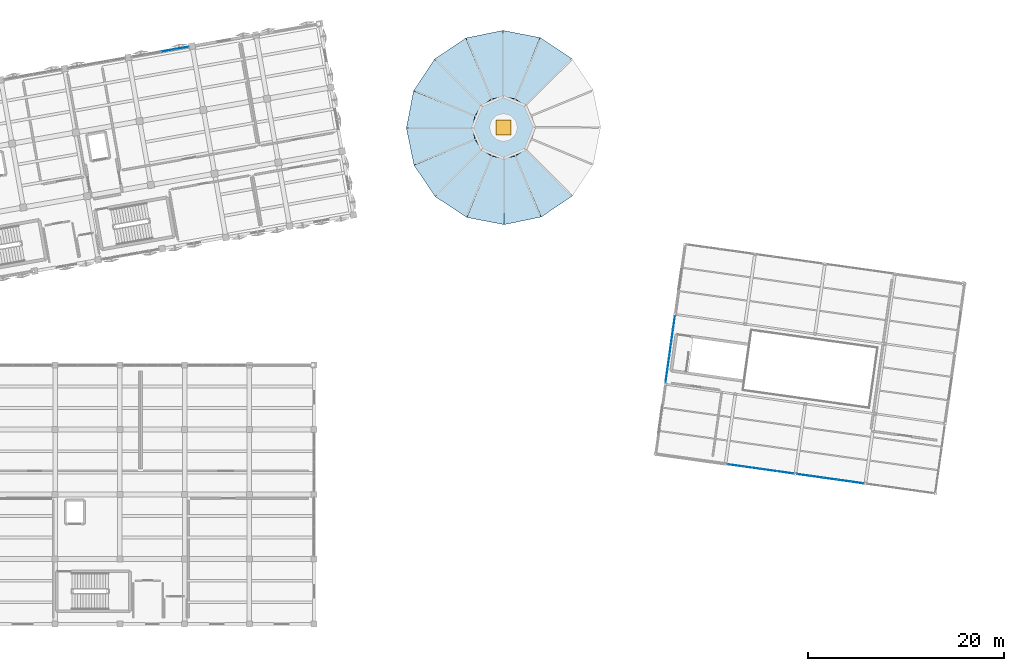
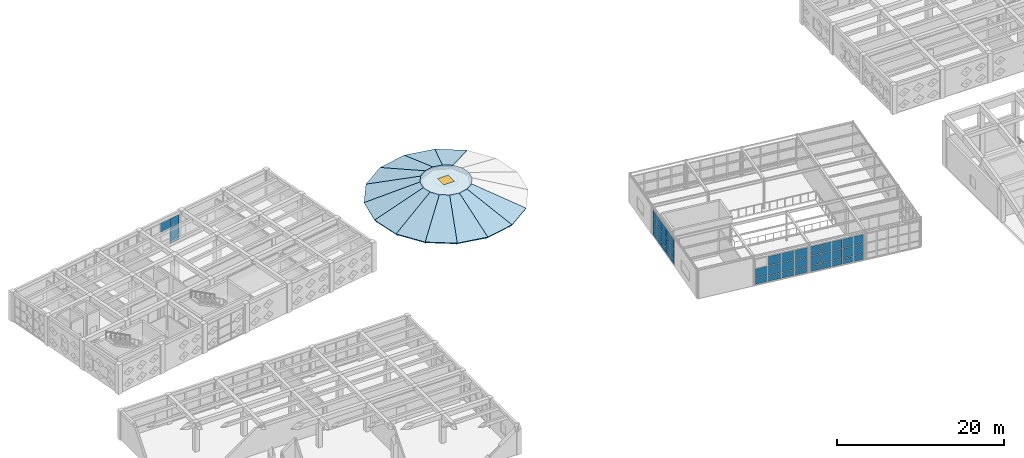
# One storey, part 44 of 67: 45 plates, 13 slabs, 1 window, 1 opening, 4 elements without a shape of their own.
"""IFC4 building model written with IfcOpenShell, lengths in metres."""

from ifc_helpers import new_model, si_unit, direction, frame, origin, origin_2d, place, context, subcontext, project, spatial, polyline, rectangle, outline, extrude, material, layer, layer_set, type_object, element, fill, aggregate, save


model = new_model("IFC4")

# Units and contexts
model_context = context("Model", 3, precision=1e-05, world=origin(), true_north=direction((0.0, 1.0)))
body_context = subcontext(model_context, "Body", "Model", "MODEL_VIEW")
ifc_project = project(units=[si_unit("LENGTHUNIT", "METRE"), si_unit("AREAUNIT", "SQUARE_METRE"), si_unit("VOLUMEUNIT", "CUBIC_METRE"), si_unit("PLANEANGLEUNIT", "RADIAN"), si_unit("MASSUNIT", "GRAM", prefix="KILO")], contexts=[model_context])

# Site, building, storey
site_placement = place(None, origin())
site = spatial("IfcSite", under=ifc_project, at=site_placement, CompositionType="ELEMENT")
building_placement = place(site_placement, origin())
building = spatial("IfcBuilding", under=site, at=building_placement, Name="Kharisveld Research Institute", CompositionType="ELEMENT")
storey_placement = place(building_placement, frame((0.0, 0.0, 9.60009765625)))
storey = spatial("IfcBuildingStorey", under=building, at=storey_placement, Name="L02", CompositionType="ELEMENT", Elevation=9.60009765625)

# Curtain wall, plates
ifc_material_1 = material(Name="Thermally Broken Aluminium Curtain Wall", Category="aluminium")
ifc_layer_1 = layer(ifc_material_1, 0.159912109375)
ifc_layer_set_1 = layer_set([ifc_layer_1], Name="CW_SYS_04")
curtain_wall_type_1 = type_object("IfcCurtainWallType", Name="CW_SYS_04", PredefinedType="NOTDEFINED", material=ifc_layer_set_1)
curtain_wall_1_placement = place(storey_placement, origin())
curtain_wall_1 = element("IfcCurtainWall", 1, at=curtain_wall_1_placement, inside=storey, type_object=curtain_wall_type_1, Name="CW:V1:L02:N3", PredefinedType="NOTDEFINED")
ifc_material_2 = material(Name="Low-E Double Glazing", Category="glass")
ifc_layer_2 = layer(ifc_material_2, 0.028076171875)
ifc_layer_set_2 = layer_set([ifc_layer_2], Name="CW_PNL_GLZ")
plate_type_1 = type_object("IfcPlateType", Name="CW_PNL_GLZ", PredefinedType="CURTAIN_PANEL", material=ifc_layer_set_2)
plate_1_placement = place(storey_placement, frame((25.24462890625, 58.64990234375, 2.38232421875), z_axis=(0.0, 0.0, 1.0), x_axis=(0.984807732312, 0.173648295062, 0.0)))
plate_1 = element("IfcPlate", 2, at=plate_1_placement, type_object=plate_type_1, Name="CW-04 panel 3.3", PredefinedType="CURTAIN_PANEL", context=body_context, shape_type="SweptSolid", body=[
    extrude(rectangle(XDim=1.419921875, YDim=0.028076171875, at=origin_2d()), origin(), (0.0, 0.0, 1.0), 1.33251953125),
])
plate_2_placement = place(storey_placement, frame((26.694580078125, 58.905517578125, 0.06494140625), z_axis=(0.0, 0.0, 1.0), x_axis=(0.984807732312, 0.173648295062, 0.0)))
plate_2 = element("IfcPlate", 3, at=plate_2_placement, type_object=plate_type_1, Name="CW-04 panel 4.1", PredefinedType="CURTAIN_PANEL", context=body_context, shape_type="SweptSolid", body=[
    extrude(rectangle(XDim=1.385009765625, YDim=0.028076171875, at=origin_2d()), origin(), (0.0, 0.0, 1.0), 0.802490234375),
])
plate_3_placement = place(storey_placement, frame((26.694580078125, 58.905517578125, 0.9326171875), z_axis=(0.0, 0.0, 1.0), x_axis=(0.984807732312, 0.173648295062, 0.0)))
plate_3 = element("IfcPlate", 4, at=plate_3_placement, type_object=plate_type_1, Name="CW-04 panel 4.2", PredefinedType="CURTAIN_PANEL", context=body_context, shape_type="SweptSolid", body=[
    extrude(rectangle(XDim=1.385009765625, YDim=0.028076171875, at=origin_2d()), origin(), (0.0, 0.0, 1.0), 1.385009765625),
])
plate_4_placement = place(storey_placement, frame((26.694580078125, 58.905517578125, 2.38232421875), z_axis=(0.0, 0.0, 1.0), x_axis=(0.984807732312, 0.173648295062, 0.0)))
plate_4 = element("IfcPlate", 5, at=plate_4_placement, type_object=plate_type_1, Name="CW-04 panel 4.3", PredefinedType="CURTAIN_PANEL", context=body_context, shape_type="SweptSolid", body=[
    extrude(rectangle(XDim=1.385009765625, YDim=0.028076171875, at=origin_2d()), origin(), (0.0, 0.0, 1.0), 1.33251953125),
])
aggregate(curtain_wall_1, [plate_1, plate_2, plate_3, plate_4])

ifc_material_3 = material(Name="Thermally Broken Aluminium Curtain Wall", Category="aluminium")
ifc_layer_3 = layer(ifc_material_3, 0.159912109375)
ifc_layer_set_3 = layer_set([ifc_layer_3], Name="CW_SYS_03")
curtain_wall_type_2 = type_object("IfcCurtainWallType", Name="CW_SYS_03", PredefinedType="NOTDEFINED", material=ifc_layer_set_3)
curtain_wall_2_placement = place(storey_placement, origin())
curtain_wall_2 = element("IfcCurtainWall", 6, at=curtain_wall_2_placement, inside=storey, type_object=curtain_wall_type_2, Name="CW:V4:L02:W1", PredefinedType="NOTDEFINED")
plate_5_placement = place(storey_placement, frame((76.119384765625, 25.46435546875, 0.06494140625), z_axis=(0.0, 0.0, 1.0), x_axis=(0.139173262318, 0.990268046064, 0.0)))
plate_5 = element("IfcPlate", 7, at=plate_5_placement, type_object=plate_type_1, Name="CW-03 panel 1.1", PredefinedType="CURTAIN_PANEL", context=body_context, shape_type="SweptSolid", body=[
    extrude(rectangle(XDim=1.282470703125, YDim=0.028076171875, at=origin_2d()), origin(), (0.0, 0.0, 1.0), 0.802490234375),
])
plate_6_placement = place(storey_placement, frame((76.119384765625, 25.46435546875, 0.9326171875), z_axis=(0.0, 0.0, 1.0), x_axis=(0.139173262318, 0.990268046064, 0.0)))
plate_6 = element("IfcPlate", 8, at=plate_6_placement, type_object=plate_type_1, Name="CW-03 panel 1.2", PredefinedType="CURTAIN_PANEL", context=body_context, shape_type="SweptSolid", body=[
    extrude(rectangle(XDim=1.282470703125, YDim=0.028076171875, at=origin_2d()), origin(), (0.0, 0.0, 1.0), 1.385009765625),
])
plate_7_placement = place(storey_placement, frame((76.119384765625, 25.46435546875, 2.38232421875), z_axis=(0.0, 0.0, 1.0), x_axis=(0.139173262318, 0.990268046064, 0.0)))
plate_7 = element("IfcPlate", 9, at=plate_7_placement, type_object=plate_type_1, Name="CW-03 panel 1.3", PredefinedType="CURTAIN_PANEL", context=body_context, shape_type="SweptSolid", body=[
    extrude(rectangle(XDim=1.282470703125, YDim=0.028076171875, at=origin_2d()), origin(), (0.0, 0.0, 1.0), 1.33251953125),
])
plate_8_placement = place(storey_placement, frame((76.31005859375, 26.821044921875, 0.06494140625), z_axis=(0.0, 0.0, 1.0), x_axis=(0.139173262318, 0.990268046064, 0.0)))
plate_8 = element("IfcPlate", 10, at=plate_8_placement, type_object=plate_type_1, Name="CW-03 panel 2.1", PredefinedType="CURTAIN_PANEL", context=body_context, shape_type="SweptSolid", body=[
    extrude(rectangle(XDim=1.3173828125, YDim=0.028076171875, at=origin_2d()), origin(), (0.0, 0.0, 1.0), 0.802490234375),
])
plate_9_placement = place(storey_placement, frame((76.31005859375, 26.821044921875, 0.9326171875), z_axis=(0.0, 0.0, 1.0), x_axis=(0.139173262318, 0.990268046064, 0.0)))
plate_9 = element("IfcPlate", 11, at=plate_9_placement, type_object=plate_type_1, Name="CW-03 panel 2.2", PredefinedType="CURTAIN_PANEL", context=body_context, shape_type="SweptSolid", body=[
    extrude(rectangle(XDim=1.3173828125, YDim=0.028076171875, at=origin_2d()), origin(), (0.0, 0.0, 1.0), 1.385009765625),
])
plate_10_placement = place(storey_placement, frame((76.31005859375, 26.821044921875, 2.38232421875), z_axis=(0.0, 0.0, 1.0), x_axis=(0.139173262318, 0.990268046064, 0.0)))
plate_10 = element("IfcPlate", 12, at=plate_10_placement, type_object=plate_type_1, Name="CW-03 panel 2.3", PredefinedType="CURTAIN_PANEL", context=body_context, shape_type="SweptSolid", body=[
    extrude(rectangle(XDim=1.3173828125, YDim=0.028076171875, at=origin_2d()), origin(), (0.0, 0.0, 1.0), 1.33251953125),
])
plate_11_placement = place(storey_placement, frame((76.503173828125, 28.19482421875, 0.06494140625), z_axis=(0.0, 0.0, 1.0), x_axis=(0.139173262318, 0.990268046064, 0.0)))
plate_11 = element("IfcPlate", 13, at=plate_11_placement, type_object=plate_type_1, Name="CW-03 panel 3.1", PredefinedType="CURTAIN_PANEL", context=body_context, shape_type="SweptSolid", body=[
    extrude(rectangle(XDim=1.3173828125, YDim=0.028076171875, at=origin_2d()), origin(), (0.0, 0.0, 1.0), 0.802490234375),
])
plate_12_placement = place(storey_placement, frame((76.503173828125, 28.19482421875, 0.9326171875), z_axis=(0.0, 0.0, 1.0), x_axis=(0.139173262318, 0.990268046064, 0.0)))
plate_12 = element("IfcPlate", 14, at=plate_12_placement, type_object=plate_type_1, Name="CW-03 panel 3.2", PredefinedType="CURTAIN_PANEL", context=body_context, shape_type="SweptSolid", body=[
    extrude(rectangle(XDim=1.3173828125, YDim=0.028076171875, at=origin_2d()), origin(), (0.0, 0.0, 1.0), 1.385009765625),
])
plate_13_placement = place(storey_placement, frame((76.503173828125, 28.19482421875, 2.38232421875), z_axis=(0.0, 0.0, 1.0), x_axis=(0.139173262318, 0.990268046064, 0.0)))
plate_13 = element("IfcPlate", 15, at=plate_13_placement, type_object=plate_type_1, Name="CW-03 panel 3.3", PredefinedType="CURTAIN_PANEL", context=body_context, shape_type="SweptSolid", body=[
    extrude(rectangle(XDim=1.3173828125, YDim=0.028076171875, at=origin_2d()), origin(), (0.0, 0.0, 1.0), 1.33251953125),
])
plate_14_placement = place(storey_placement, frame((76.696044921875, 29.56884765625, 0.06494140625), z_axis=(0.0, 0.0, 1.0), x_axis=(0.139173262318, 0.990268046064, 0.0)))
plate_14 = element("IfcPlate", 16, at=plate_14_placement, type_object=plate_type_1, Name="CW-03 panel 4.1", PredefinedType="CURTAIN_PANEL", context=body_context, shape_type="SweptSolid", body=[
    extrude(rectangle(XDim=1.3173828125, YDim=0.028076171875, at=origin_2d()), origin(), (0.0, 0.0, 1.0), 0.802490234375),
])
plate_15_placement = place(storey_placement, frame((76.696044921875, 29.56884765625, 0.9326171875), z_axis=(0.0, 0.0, 1.0), x_axis=(0.139173262318, 0.990268046064, 0.0)))
plate_15 = element("IfcPlate", 17, at=plate_15_placement, type_object=plate_type_1, Name="CW-03 panel 4.2", PredefinedType="CURTAIN_PANEL", context=body_context, shape_type="SweptSolid", body=[
    extrude(rectangle(XDim=1.3173828125, YDim=0.028076171875, at=origin_2d()), origin(), (0.0, 0.0, 1.0), 1.385009765625),
])
plate_16_placement = place(storey_placement, frame((76.696044921875, 29.56884765625, 2.38232421875), z_axis=(0.0, 0.0, 1.0), x_axis=(0.139173262318, 0.990268046064, 0.0)))
plate_16 = element("IfcPlate", 18, at=plate_16_placement, type_object=plate_type_1, Name="CW-03 panel 4.3", PredefinedType="CURTAIN_PANEL", context=body_context, shape_type="SweptSolid", body=[
    extrude(rectangle(XDim=1.3173828125, YDim=0.028076171875, at=origin_2d()), origin(), (0.0, 0.0, 1.0), 1.33251953125),
])
plate_17_placement = place(storey_placement, frame((76.88671875, 30.92529296875, 0.06494140625), z_axis=(0.0, 0.0, 1.0), x_axis=(0.139173262318, 0.990268046064, 0.0)))
plate_17 = element("IfcPlate", 19, at=plate_17_placement, type_object=plate_type_1, Name="CW-03 panel 5.1", PredefinedType="CURTAIN_PANEL", context=body_context, shape_type="SweptSolid", body=[
    extrude(rectangle(XDim=1.282470703125, YDim=0.028076171875, at=origin_2d()), origin(), (0.0, 0.0, 1.0), 0.802490234375),
])
plate_18_placement = place(storey_placement, frame((76.88671875, 30.92529296875, 0.9326171875), z_axis=(0.0, 0.0, 1.0), x_axis=(0.139173262318, 0.990268046064, 0.0)))
plate_18 = element("IfcPlate", 20, at=plate_18_placement, type_object=plate_type_1, Name="CW-03 panel 5.2", PredefinedType="CURTAIN_PANEL", context=body_context, shape_type="SweptSolid", body=[
    extrude(rectangle(XDim=1.282470703125, YDim=0.028076171875, at=origin_2d()), origin(), (0.0, 0.0, 1.0), 1.385009765625),
])
plate_19_placement = place(storey_placement, frame((76.88671875, 30.92529296875, 2.38232421875), z_axis=(0.0, 0.0, 1.0), x_axis=(0.139173262318, 0.990268046064, 0.0)))
plate_19 = element("IfcPlate", 21, at=plate_19_placement, type_object=plate_type_1, Name="CW-03 panel 5.3", PredefinedType="CURTAIN_PANEL", context=body_context, shape_type="SweptSolid", body=[
    extrude(rectangle(XDim=1.282470703125, YDim=0.028076171875, at=origin_2d()), origin(), (0.0, 0.0, 1.0), 1.33251953125),
])
aggregate(curtain_wall_2, [plate_5, plate_6, plate_7, plate_8, plate_9, plate_10, plate_11, plate_12, plate_13, plate_14, plate_15, plate_16, plate_17, plate_18, plate_19])

curtain_wall_3_placement = place(storey_placement, origin())
curtain_wall_3 = element("IfcCurtainWall", 22, at=curtain_wall_3_placement, inside=storey, type_object=curtain_wall_type_1, Name="CW:V4:L02:S2", PredefinedType="NOTDEFINED")
plate_20_placement = place(storey_placement, frame((88.253662109375, 15.63720703125, 0.06494140625), z_axis=(0.0, 0.0, 1.0), x_axis=(-0.990268046064, 0.139173262318, 0.0)))
plate_20 = element("IfcPlate", 23, at=plate_20_placement, type_object=plate_type_1, Name="CW-04 panel 1.1", PredefinedType="CURTAIN_PANEL", context=body_context, shape_type="SweptSolid", body=[
    extrude(rectangle(XDim=1.629150390625, YDim=0.028076171875, at=origin_2d()), origin(), (0.0, 0.0, 1.0), 0.802490234375),
])
plate_21_placement = place(storey_placement, frame((88.253662109375, 15.63720703125, 0.9326171875), z_axis=(0.0, 0.0, 1.0), x_axis=(-0.990268046064, 0.139173262318, 0.0)))
plate_21 = element("IfcPlate", 24, at=plate_21_placement, type_object=plate_type_1, Name="CW-04 panel 1.2", PredefinedType="CURTAIN_PANEL", context=body_context, shape_type="SweptSolid", body=[
    extrude(rectangle(XDim=1.629150390625, YDim=0.028076171875, at=origin_2d()), origin(), (0.0, 0.0, 1.0), 1.385009765625),
])
plate_22_placement = place(storey_placement, frame((88.253662109375, 15.63720703125, 2.38232421875), z_axis=(0.0, 0.0, 1.0), x_axis=(-0.990268046064, 0.139173262318, 0.0)))
plate_22 = element("IfcPlate", 25, at=plate_22_placement, type_object=plate_type_1, Name="CW-04 panel 1.3", PredefinedType="CURTAIN_PANEL", context=body_context, shape_type="SweptSolid", body=[
    extrude(rectangle(XDim=1.629150390625, YDim=0.028076171875, at=origin_2d()), origin(), (0.0, 0.0, 1.0), 1.33251953125),
])
plate_23_placement = place(storey_placement, frame((86.553466796875, 15.876220703125, 0.06494140625), z_axis=(0.0, 0.0, 1.0), x_axis=(-0.990268046064, 0.139173262318, 0.0)))
plate_23 = element("IfcPlate", 26, at=plate_23_placement, type_object=plate_type_1, Name="CW-04 panel 2.1", PredefinedType="CURTAIN_PANEL", context=body_context, shape_type="SweptSolid", body=[
    extrude(rectangle(XDim=1.664306640625, YDim=0.028076171875, at=origin_2d()), origin(), (0.0, 0.0, 1.0), 0.802490234375),
])
plate_24_placement = place(storey_placement, frame((86.553466796875, 15.876220703125, 0.9326171875), z_axis=(0.0, 0.0, 1.0), x_axis=(-0.990268046064, 0.139173262318, 0.0)))
plate_24 = element("IfcPlate", 27, at=plate_24_placement, type_object=plate_type_1, Name="CW-04 panel 2.2", PredefinedType="CURTAIN_PANEL", context=body_context, shape_type="SweptSolid", body=[
    extrude(rectangle(XDim=1.664306640625, YDim=0.028076171875, at=origin_2d()), origin(), (0.0, 0.0, 1.0), 1.385009765625),
])
plate_25_placement = place(storey_placement, frame((86.553466796875, 15.876220703125, 2.38232421875), z_axis=(0.0, 0.0, 1.0), x_axis=(-0.990268046064, 0.139173262318, 0.0)))
plate_25 = element("IfcPlate", 28, at=plate_25_placement, type_object=plate_type_1, Name="CW-04 panel 2.3", PredefinedType="CURTAIN_PANEL", context=body_context, shape_type="SweptSolid", body=[
    extrude(rectangle(XDim=1.664306640625, YDim=0.028076171875, at=origin_2d()), origin(), (0.0, 0.0, 1.0), 1.33251953125),
])
plate_26_placement = place(storey_placement, frame((84.836181640625, 16.11767578125, 0.06494140625), z_axis=(0.0, 0.0, 1.0), x_axis=(-0.990268046064, 0.139173262318, 0.0)))
plate_26 = element("IfcPlate", 29, at=plate_26_placement, type_object=plate_type_1, Name="CW-04 panel 3.1", PredefinedType="CURTAIN_PANEL", context=body_context, shape_type="SweptSolid", body=[
    extrude(rectangle(XDim=1.664306640625, YDim=0.028076171875, at=origin_2d()), origin(), (0.0, 0.0, 1.0), 0.802490234375),
])
plate_27_placement = place(storey_placement, frame((84.836181640625, 16.11767578125, 0.9326171875), z_axis=(0.0, 0.0, 1.0), x_axis=(-0.990268046064, 0.139173262318, 0.0)))
plate_27 = element("IfcPlate", 30, at=plate_27_placement, type_object=plate_type_1, Name="CW-04 panel 3.2", PredefinedType="CURTAIN_PANEL", context=body_context, shape_type="SweptSolid", body=[
    extrude(rectangle(XDim=1.664306640625, YDim=0.028076171875, at=origin_2d()), origin(), (0.0, 0.0, 1.0), 1.385009765625),
])
plate_28_placement = place(storey_placement, frame((84.836181640625, 16.11767578125, 2.38232421875), z_axis=(0.0, 0.0, 1.0), x_axis=(-0.990268046064, 0.139173262318, 0.0)))
plate_28 = element("IfcPlate", 31, at=plate_28_placement, type_object=plate_type_1, Name="CW-04 panel 3.3", PredefinedType="CURTAIN_PANEL", context=body_context, shape_type="SweptSolid", body=[
    extrude(rectangle(XDim=1.664306640625, YDim=0.028076171875, at=origin_2d()), origin(), (0.0, 0.0, 1.0), 1.33251953125),
])
plate_29_placement = place(storey_placement, frame((83.13623046875, 16.3564453125, 0.06494140625), z_axis=(0.0, 0.0, 1.0), x_axis=(-0.990268046064, 0.139173262318, 0.0)))
plate_29 = element("IfcPlate", 32, at=plate_29_placement, type_object=plate_type_1, Name="CW-04 panel 4.1", PredefinedType="CURTAIN_PANEL", context=body_context, shape_type="SweptSolid", body=[
    extrude(rectangle(XDim=1.629150390625, YDim=0.028076171875, at=origin_2d()), origin(), (0.0, 0.0, 1.0), 0.802490234375),
])
plate_30_placement = place(storey_placement, frame((83.13623046875, 16.3564453125, 0.9326171875), z_axis=(0.0, 0.0, 1.0), x_axis=(-0.990268046064, 0.139173262318, 0.0)))
plate_30 = element("IfcPlate", 33, at=plate_30_placement, type_object=plate_type_1, Name="CW-04 panel 4.2", PredefinedType="CURTAIN_PANEL", context=body_context, shape_type="SweptSolid", body=[
    extrude(rectangle(XDim=1.629150390625, YDim=0.028076171875, at=origin_2d()), origin(), (0.0, 0.0, 1.0), 1.385009765625),
])
aggregate(curtain_wall_3, [plate_20, plate_21, plate_22, plate_23, plate_24, plate_25, plate_26, plate_27, plate_28, plate_29, plate_30])

curtain_wall_4_placement = place(storey_placement, origin())
curtain_wall_4 = element("IfcCurtainWall", 34, at=curtain_wall_4_placement, inside=storey, type_object=curtain_wall_type_2, Name="CW:V4:L02:S3", PredefinedType="NOTDEFINED")
ifc_material_4 = material(Name="Insulated Spandrel Glazing", Category="glass")
ifc_layer_4 = layer(ifc_material_4, 0.035888671875)
ifc_layer_set_4 = layer_set([ifc_layer_4], Name="CW_PNL_SPD")
plate_type_2 = type_object("IfcPlateType", Name="CW_PNL_SPD", PredefinedType="CURTAIN_PANEL", material=ifc_layer_set_4)
plate_31_placement = place(storey_placement, frame((95.55517578125, 14.611083984375, 0.06494140625), z_axis=(0.0, 0.0, 1.0), x_axis=(-0.990268065931, 0.139173120957, 0.0)))
plate_31 = element("IfcPlate", 35, at=plate_31_placement, type_object=plate_type_2, Name="CW-03 panel 1.1", PredefinedType="CURTAIN_PANEL", context=body_context, shape_type="SweptSolid", body=[
    extrude(rectangle(XDim=1.282470703125, YDim=0.035888671875, at=origin_2d()), origin(), (0.0, 0.0, 1.0), 0.802490234375),
])
plate_32_placement = place(storey_placement, frame((95.55517578125, 14.611083984375, 0.9326171875), z_axis=(0.0, 0.0, 1.0), x_axis=(-0.990268065931, 0.139173120957, 0.0)))
plate_32 = element("IfcPlate", 36, at=plate_32_placement, type_object=plate_type_2, Name="CW-03 panel 1.2", PredefinedType="CURTAIN_PANEL", context=body_context, shape_type="SweptSolid", body=[
    extrude(rectangle(XDim=1.282470703125, YDim=0.035888671875, at=origin_2d()), origin(), (0.0, 0.0, 1.0), 1.385009765625),
])
plate_33_placement = place(storey_placement, frame((95.55517578125, 14.611083984375, 2.38232421875), z_axis=(0.0, 0.0, 1.0), x_axis=(-0.990268065931, 0.139173120957, 0.0)))
plate_33 = element("IfcPlate", 37, at=plate_33_placement, type_object=plate_type_2, Name="CW-03 panel 1.3", PredefinedType="CURTAIN_PANEL", context=body_context, shape_type="SweptSolid", body=[
    extrude(rectangle(XDim=1.282470703125, YDim=0.035888671875, at=origin_2d()), origin(), (0.0, 0.0, 1.0), 1.33251953125),
])
plate_34_placement = place(storey_placement, frame((94.19873046875, 14.8017578125, 0.06494140625), z_axis=(0.0, 0.0, 1.0), x_axis=(-0.990268065931, 0.139173120957, 0.0)))
plate_34 = element("IfcPlate", 38, at=plate_34_placement, type_object=plate_type_2, Name="CW-03 panel 2.1", PredefinedType="CURTAIN_PANEL", context=body_context, shape_type="SweptSolid", body=[
    extrude(rectangle(XDim=1.3173828125, YDim=0.035888671875, at=origin_2d()), origin(), (0.0, 0.0, 1.0), 0.802490234375),
])
plate_35_placement = place(storey_placement, frame((94.19873046875, 14.8017578125, 0.9326171875), z_axis=(0.0, 0.0, 1.0), x_axis=(-0.990268065931, 0.139173120957, 0.0)))
plate_35 = element("IfcPlate", 39, at=plate_35_placement, type_object=plate_type_2, Name="CW-03 panel 2.2", PredefinedType="CURTAIN_PANEL", context=body_context, shape_type="SweptSolid", body=[
    extrude(rectangle(XDim=1.3173828125, YDim=0.035888671875, at=origin_2d()), origin(), (0.0, 0.0, 1.0), 1.385009765625),
])
plate_36_placement = place(storey_placement, frame((94.19873046875, 14.8017578125, 2.38232421875), z_axis=(0.0, 0.0, 1.0), x_axis=(-0.990268065931, 0.139173120957, 0.0)))
plate_36 = element("IfcPlate", 40, at=plate_36_placement, type_object=plate_type_2, Name="CW-03 panel 2.3", PredefinedType="CURTAIN_PANEL", context=body_context, shape_type="SweptSolid", body=[
    extrude(rectangle(XDim=1.3173828125, YDim=0.035888671875, at=origin_2d()), origin(), (0.0, 0.0, 1.0), 1.33251953125),
])
plate_37_placement = place(storey_placement, frame((92.82470703125, 14.994873046875, 0.06494140625), z_axis=(0.0, 0.0, 1.0), x_axis=(-0.990268065931, 0.139173120957, 0.0)))
plate_37 = element("IfcPlate", 41, at=plate_37_placement, type_object=plate_type_2, Name="CW-03 panel 3.1", PredefinedType="CURTAIN_PANEL", context=body_context, shape_type="SweptSolid", body=[
    extrude(rectangle(XDim=1.3173828125, YDim=0.035888671875, at=origin_2d()), origin(), (0.0, 0.0, 1.0), 0.802490234375),
])
plate_38_placement = place(storey_placement, frame((92.82470703125, 14.994873046875, 0.9326171875), z_axis=(0.0, 0.0, 1.0), x_axis=(-0.990268065931, 0.139173120957, 0.0)))
plate_38 = element("IfcPlate", 42, at=plate_38_placement, type_object=plate_type_2, Name="CW-03 panel 3.2", PredefinedType="CURTAIN_PANEL", context=body_context, shape_type="SweptSolid", body=[
    extrude(rectangle(XDim=1.3173828125, YDim=0.035888671875, at=origin_2d()), origin(), (0.0, 0.0, 1.0), 1.385009765625),
])
plate_39_placement = place(storey_placement, frame((92.82470703125, 14.994873046875, 2.38232421875), z_axis=(0.0, 0.0, 1.0), x_axis=(-0.990268065931, 0.139173120957, 0.0)))
plate_39 = element("IfcPlate", 43, at=plate_39_placement, type_object=plate_type_2, Name="CW-03 panel 3.3", PredefinedType="CURTAIN_PANEL", context=body_context, shape_type="SweptSolid", body=[
    extrude(rectangle(XDim=1.3173828125, YDim=0.035888671875, at=origin_2d()), origin(), (0.0, 0.0, 1.0), 1.33251953125),
])
plate_40_placement = place(storey_placement, frame((91.450927734375, 15.18798828125, 0.06494140625), z_axis=(0.0, 0.0, 1.0), x_axis=(-0.990268065931, 0.139173120957, 0.0)))
plate_40 = element("IfcPlate", 44, at=plate_40_placement, type_object=plate_type_2, Name="CW-03 panel 4.1", PredefinedType="CURTAIN_PANEL", context=body_context, shape_type="SweptSolid", body=[
    extrude(rectangle(XDim=1.3173828125, YDim=0.035888671875, at=origin_2d()), origin(), (0.0, 0.0, 1.0), 0.802490234375),
])
plate_41_placement = place(storey_placement, frame((91.450927734375, 15.18798828125, 0.9326171875), z_axis=(0.0, 0.0, 1.0), x_axis=(-0.990268065931, 0.139173120957, 0.0)))
plate_41 = element("IfcPlate", 45, at=plate_41_placement, type_object=plate_type_2, Name="CW-03 panel 4.2", PredefinedType="CURTAIN_PANEL", context=body_context, shape_type="SweptSolid", body=[
    extrude(rectangle(XDim=1.3173828125, YDim=0.035888671875, at=origin_2d()), origin(), (0.0, 0.0, 1.0), 1.385009765625),
])
plate_42_placement = place(storey_placement, frame((91.450927734375, 15.18798828125, 2.38232421875), z_axis=(0.0, 0.0, 1.0), x_axis=(-0.990268065931, 0.139173120957, 0.0)))
plate_42 = element("IfcPlate", 46, at=plate_42_placement, type_object=plate_type_2, Name="CW-03 panel 4.3", PredefinedType="CURTAIN_PANEL", context=body_context, shape_type="SweptSolid", body=[
    extrude(rectangle(XDim=1.3173828125, YDim=0.035888671875, at=origin_2d()), origin(), (0.0, 0.0, 1.0), 1.33251953125),
])
plate_43_placement = place(storey_placement, frame((90.09423828125, 15.378662109375, 0.06494140625), z_axis=(0.0, 0.0, 1.0), x_axis=(-0.990268065931, 0.139173120957, 0.0)))
plate_43 = element("IfcPlate", 47, at=plate_43_placement, type_object=plate_type_2, Name="CW-03 panel 5.1", PredefinedType="CURTAIN_PANEL", context=body_context, shape_type="SweptSolid", body=[
    extrude(rectangle(XDim=1.282470703125, YDim=0.035888671875, at=origin_2d()), origin(), (0.0, 0.0, 1.0), 0.802490234375),
])
plate_44_placement = place(storey_placement, frame((90.09423828125, 15.378662109375, 0.9326171875), z_axis=(0.0, 0.0, 1.0), x_axis=(-0.990268065931, 0.139173120957, 0.0)))
plate_44 = element("IfcPlate", 48, at=plate_44_placement, type_object=plate_type_2, Name="CW-03 panel 5.2", PredefinedType="CURTAIN_PANEL", context=body_context, shape_type="SweptSolid", body=[
    extrude(rectangle(XDim=1.282470703125, YDim=0.035888671875, at=origin_2d()), origin(), (0.0, 0.0, 1.0), 1.385009765625),
])
plate_45_placement = place(storey_placement, frame((90.09423828125, 15.378662109375, 2.38232421875), z_axis=(0.0, 0.0, 1.0), x_axis=(-0.990268065931, 0.139173120957, 0.0)))
plate_45 = element("IfcPlate", 49, at=plate_45_placement, type_object=plate_type_2, Name="CW-03 panel 5.3", PredefinedType="CURTAIN_PANEL", context=body_context, shape_type="SweptSolid", body=[
    extrude(rectangle(XDim=1.282470703125, YDim=0.035888671875, at=origin_2d()), origin(), (0.0, 0.0, 1.0), 1.33251953125),
])
aggregate(curtain_wall_4, [plate_31, plate_32, plate_33, plate_34, plate_35, plate_36, plate_37, plate_38, plate_39, plate_40, plate_41, plate_42, plate_43, plate_44, plate_45])

# Slabs
ifc_material_5 = material(Name="Concrete C40/50", Category="concrete")
ifc_layer_5 = layer(ifc_material_5, 0.175048828125)
ifc_layer_set_5 = layer_set([ifc_layer_5], Name="SL_ROOF_175")
slab_type = type_object("IfcSlabType", Name="SL_ROOF_175", PredefinedType="ROOF", material=ifc_layer_set_5)
slab_1_placement = place(storey_placement, frame((66.45703125, 57.843017578125, 0.1298828125), z_axis=(0.185545579109, 0.281446631237, 0.941467276032), x_axis=(-0.834846803063, 0.550482347083, -3.1088282e-05)))
element("IfcSlab", 50, at=slab_1_placement, inside=storey, type_object=slab_type, Name="SLAB:V6:L02:ROOF02", PredefinedType="ROOF", context=body_context, shape_type="SweptSolid", body=[
    extrude(outline(polyline([(0.0, 0.0), (3.861959755771685, 4.440892098500626e-16), (2.545453714605114, 7.031045629532619), (1.3166581256539185, 7.030576152287534), (0.0, 0.0)])), origin(), (0.0, 0.0, -1.0), 0.175048828125),
])
slab_2_placement = place(storey_placement, frame((63.23291015625, 59.968994140625, 0.1298828125), z_axis=(0.063800115641, 0.330959059862, 0.941485871344), x_axis=(-0.981931200288, 0.189238256085, 1.8278348e-05)))
element("IfcSlab", 51, at=slab_2_placement, inside=storey, type_object=slab_type, Name="SLAB:V6:L02:ROOF03", PredefinedType="ROOF", context=body_context, shape_type="SweptSolid", body=[
    extrude(outline(polyline([(0.0, 0.0), (3.8627593912106954, -1.1102230246251565e-16), (2.545169962580747, 7.031756242640646), (1.31587280668941, 7.032032384775049), (0.0, 0.0)])), origin(), (0.0, 0.0, -1.0), 0.175048828125),
])
slab_3_placement = place(storey_placement, frame((59.43994140625, 60.699951171875, 0.1298828125), z_axis=(-0.06778002298, 0.330173073313, 0.941483728029), x_axis=(-0.979569250274, -0.201107145299, 5.244844e-06)))
element("IfcSlab", 52, at=slab_3_placement, inside=storey, type_object=slab_type, Name="SLAB:V6:L02:ROOF04", PredefinedType="ROOF", context=body_context, shape_type="SweptSolid", body=[
    extrude(outline(polyline([(0.0, 0.0), (3.8628580923673477, 0.0), (2.546257334049082, 7.031729735556714), (1.3173080166313067, 7.031808967316508), (0.0, 0.0)])), origin(), (0.0, 0.0, -1.0), 0.175048828125),
])
slab_4_placement = place(storey_placement, frame((55.656005859375, 59.923095703125, 0.1298828125), z_axis=(-0.188967641253, 0.279120751442, 0.941479068633), x_axis=(-0.828046448466, -0.560659503467, 1.8819002e-05)))
element("IfcSlab", 53, at=slab_4_placement, inside=storey, type_object=slab_type, Name="SLAB:V6:L02:ROOF05", PredefinedType="ROOF", context=body_context, shape_type="SweptSolid", body=[
    extrude(outline(polyline([(0.0, 0.0), (3.8632968088417385, -2.220446049250313e-16), (2.5463607574114584, 7.0313557010416305), (1.3170797982100002, 7.031640024230734), (0.0, 0.0)])), origin(), (0.0, 0.0, -1.0), 0.175048828125),
])
slab_5_placement = place(storey_placement, frame((52.45703125, 57.757080078125, 0.1298828125), z_axis=(-0.281439200379, 0.185551338623, 0.941468362307), x_axis=(-0.550484851688, -0.834845151837, -2.2710283e-05)))
element("IfcSlab", 54, at=slab_5_placement, inside=storey, type_object=slab_type, Name="SLAB:V6:L02:ROOF06", PredefinedType="ROOF", context=body_context, shape_type="SweptSolid", body=[
    extrude(outline(polyline([(0.0, 0.0), (3.8619597567536124, 2.220446049250313e-16), (2.5454537139579165, 7.031045629766925), (1.3168619458074027, 7.030702682855114), (0.0, 0.0)])), origin(), (0.0, 0.0, -1.0), 0.175048828125),
])
slab_6_placement = place(storey_placement, frame((50.3310546875, 54.532958984375, 0.1298828125), z_axis=(-0.330959059862, 0.063800115641, 0.941485871344), x_axis=(-0.189238256085, -0.981931200288, 1.8278348e-05)))
element("IfcSlab", 55, at=slab_6_placement, inside=storey, type_object=slab_type, Name="SLAB:V6:L02:ROOF07", PredefinedType="ROOF", context=body_context, shape_type="SweptSolid", body=[
    extrude(outline(polyline([(0.0, 0.0), (3.8627593912106954, -1.1102230246251565e-16), (2.545169962580747, 7.031756242640646), (1.31587280668941, 7.032032384775049), (0.0, 0.0)])), origin(), (0.0, 0.0, -1.0), 0.175048828125),
])
slab_7_placement = place(storey_placement, frame((49.60009765625, 50.739990234375, 0.1298828125), z_axis=(-0.33018328077, -0.067762639923, 0.941481399567), x_axis=(0.201100845168, -0.979570543419, 2.3208966e-05)))
element("IfcSlab", 56, at=slab_7_placement, inside=storey, type_object=slab_type, Name="SLAB:V6:L02:ROOF08", PredefinedType="ROOF", context=body_context, shape_type="SweptSolid", body=[
    extrude(outline(polyline([(0.0, 0.0), (3.862858091253562, 0.0), (2.54644738846691, 7.0314583521271175), (1.3173080147835565, 7.031808967050811), (0.0, 0.0)])), origin(), (0.0, 0.0, -1.0), 0.175048828125),
])
slab_8_placement = place(storey_placement, frame((50.376953125, 46.9560546875, 0.1298828125), z_axis=(-0.279125785419, -0.188981990198, 0.941474696046), x_axis=(0.560662031934, -0.828044736619, 1.0289941e-05)))
element("IfcSlab", 57, at=slab_8_placement, inside=storey, type_object=slab_type, Name="SLAB:V6:L02:ROOF09", PredefinedType="ROOF", context=body_context, shape_type="SweptSolid", body=[
    extrude(outline(polyline([(0.0, 0.0), (3.863296809382782, -2.220446049250313e-16), (2.5462238759311497, 7.031165373663474), (1.3171450768391906, 7.031320825417706), (0.0, 0.0)])), origin(), (0.0, 0.0, -1.0), 0.175048828125),
])
slab_9_placement = place(storey_placement, frame((52.54296875, 43.757080078125, 0.1298828125), z_axis=(-0.185545579109, -0.281446631237, 0.941467276032), x_axis=(0.834846803063, -0.550482347083, -3.1088282e-05)))
element("IfcSlab", 58, at=slab_9_placement, inside=storey, type_object=slab_type, Name="SLAB:V6:L02:ROOF10", PredefinedType="ROOF", context=body_context, shape_type="SweptSolid", body=[
    extrude(outline(polyline([(0.0, 0.0), (3.861959755771685, 4.440892098500626e-16), (2.545453714605114, 7.031045629532619), (1.3166581256539185, 7.030576152287534), (0.0, 0.0)])), origin(), (0.0, 0.0, -1.0), 0.175048828125),
])
slab_10_placement = place(storey_placement, frame((55.76708984375, 41.631103515625, 0.1298828125), z_axis=(-0.063831278225, -0.330953057735, 0.941485868984), x_axis=(0.981918763642, -0.189302775464, 2.8462901e-05)))
element("IfcSlab", 59, at=slab_10_placement, inside=storey, type_object=slab_type, Name="SLAB:V6:L02:ROOF11", PredefinedType="ROOF", context=body_context, shape_type="SweptSolid", body=[
    extrude(outline(polyline([(0.0, 0.0), (3.8628055967897716, 1.1102230246251565e-16), (2.5448053110294686, 7.031679244467516), (1.3154619228428732, 7.032109258639734), (0.0, 0.0)])), origin(), (0.0, 0.0, -1.0), 0.175048828125),
])
slab_11_placement = place(storey_placement, frame((59.56005859375, 40.89990234375, 0.1298828125), z_axis=(0.067796616003, -0.330175176389, 0.941481795764), x_axis=(0.979557139335, 0.201166127066, 9.98666e-06)))
element("IfcSlab", 60, at=slab_11_placement, inside=storey, type_object=slab_type, Name="SLAB:V6:L02:ROOF12", PredefinedType="ROOF", context=body_context, shape_type="SweptSolid", body=[
    extrude(outline(polyline([(0.0, 0.0), (3.862907198486136, -1.1102230246251565e-16), (2.54666718917187, 7.031581309542448), (1.3177178789545665, 7.031732173069559), (0.0, 0.0)])), origin(), (0.0, 0.0, -1.0), 0.175048828125),
])
slab_12_placement = place(storey_placement, frame((63.343994140625, 41.677001953125, 0.1298828125), z_axis=(0.188972756557, -0.279128307168, 0.941475801822), x_axis=(0.828046448671, 0.560659503165, 1.8819446e-05)))
element("IfcSlab", 61, at=slab_12_placement, inside=storey, type_object=slab_type, Name="SLAB:V6:L02:ROOF13", PredefinedType="ROOF", context=body_context, shape_type="SweptSolid", body=[
    extrude(outline(polyline([(0.0, 0.0), (3.863296808841696, 0.0), (2.546223876287769, 7.031165373534329), (1.3169429170862137, 7.031449695736868), (0.0, 0.0)])), origin(), (0.0, 0.0, -1.0), 0.175048828125),
])

# Slab, opening, window
slab_13_placement = place(storey_placement, frame((0.0, 0.0, 2.324951171875)))
slab_13 = element("IfcSlab", 62, at=slab_13_placement, inside=storey, type_object=slab_type, Name="SLAB:V6:L02:APEXCAP", PredefinedType="ROOF", context=body_context, shape_type="SweptSolid", body=[
    extrude(outline(polyline([(62.64990234375, 50.8193359375), (62.40283203125, 52.023193359375), (61.713623046875, 53.041015625), (60.687744140625, 53.717529296875), (59.480712890625, 53.949951171875), (58.27685546875, 53.702880859375), (57.259033203125, 53.013671875), (56.58251953125, 51.987548828125), (56.35009765625, 50.78076171875), (56.59716796875, 49.576904296875), (57.286376953125, 48.55908203125), (58.312255859375, 47.882568359375), (59.519287109375, 47.650146484375), (60.72314453125, 47.897216796875), (61.740966796875, 48.586181640625), (62.41748046875, 49.6123046875), (62.64990234375, 50.8193359375)])), origin(), (0.0, 0.0, 1.0), 0.175048828125),
])
opening_placement = place(slab_13_placement, frame((59.5, 50.800048828125, 0.0)))
opening = element("IfcOpeningElement", 63, at=opening_placement, cuts=slab_13, Name="Opening SK-02", PredefinedType="OPENING", context=body_context, shape_type="SweptSolid", body=[
    extrude(rectangle(XDim=1.5, YDim=1.5, at=origin_2d()), origin(), (0.0, 0.0, 1.0), 0.175048828125),
])
ifc_material_6 = material(Name="Low-E Double Glazing", Category="glass")
window_type = type_object("IfcWindowType", Name="SK_02", PartitioningType="SINGLE_PANEL", PredefinedType="SKYLIGHT", material=ifc_material_6)
window_placement = place(opening_placement, frame((0.0, 0.0, 0.125)))
window = element("IfcWindow", 64, at=window_placement, inside=storey, type_object=window_type, Name="WN:V6:L02:LANTERN", OverallHeight=1.5, OverallWidth=1.5, PartitioningType="SINGLE_PANEL", PredefinedType="SKYLIGHT", context=body_context, shape_type="SweptSolid", body=[
    extrude(rectangle(XDim=1.5, YDim=1.5, at=origin_2d()), origin(), (0.0, 0.0, 1.0), 0.050048828125),
])
fill(opening, window)

save(model, "model.ifc")
